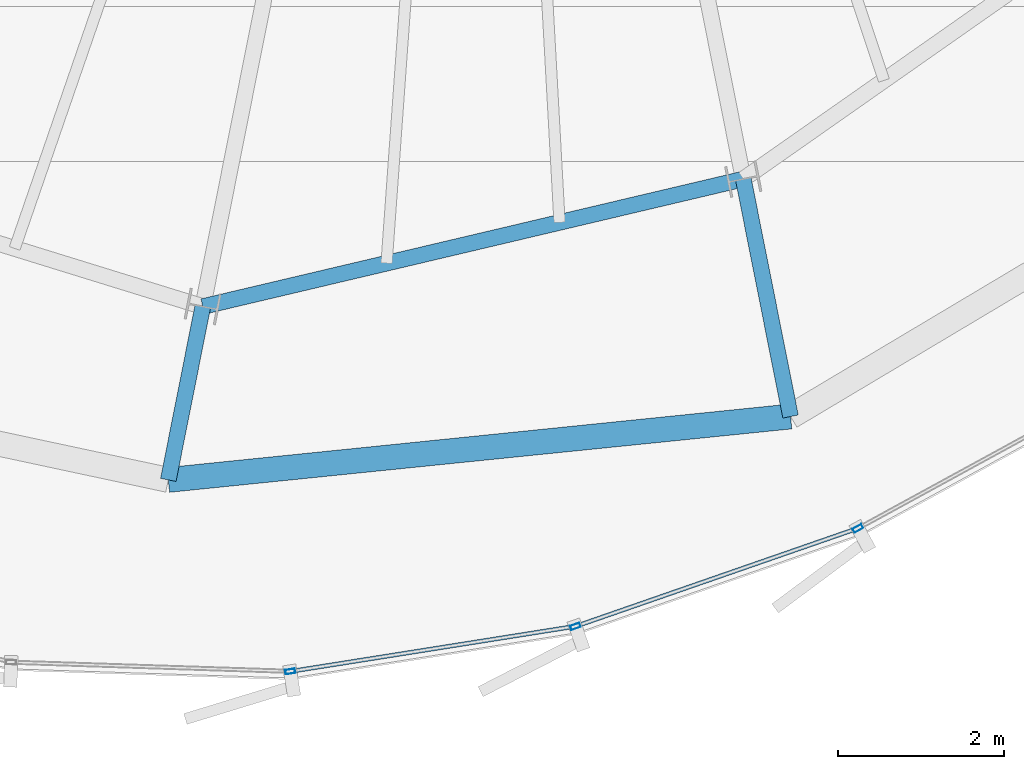
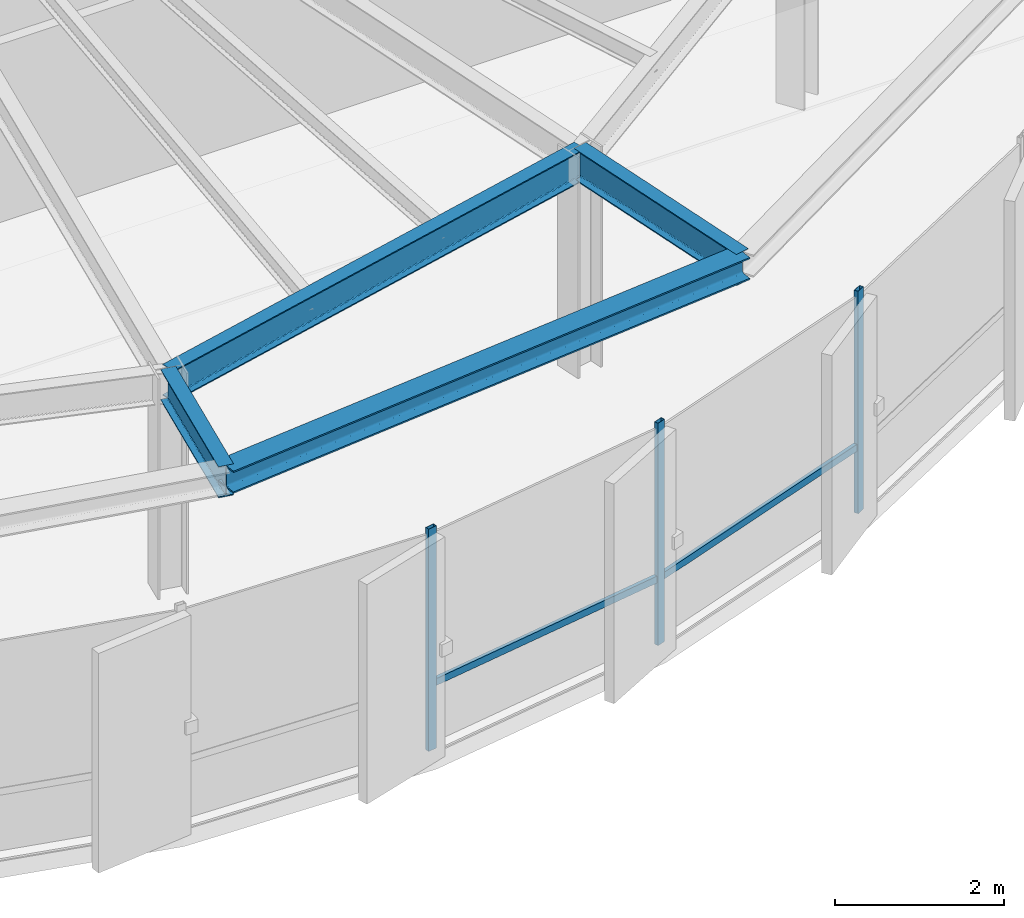
# One storey, part 6 of 31: 5 members, 4 beams, 1 element without a shape of its own.
"""IFC4 building model written with IfcOpenShell, lengths in metres."""

from ifc_helpers import new_model, si_unit, direction, frame, origin, origin_2d, place, context, subcontext, project, spatial, hollow_rectangle, i_section, extrude, source, transform, mapped, material, layer, layer_set, material_profile, profile_set, type_object, element, aggregate, save


model = new_model("IFC4")

# Units and contexts
model_context = context("Model", 3, precision=1e-05, world=origin(), true_north=direction((0.0, 1.0)))
body_context = subcontext(model_context, "Body", "Model", "MODEL_VIEW")
ifc_project = project(units=[si_unit("LENGTHUNIT", "METRE"), si_unit("AREAUNIT", "SQUARE_METRE"), si_unit("VOLUMEUNIT", "CUBIC_METRE"), si_unit("PLANEANGLEUNIT", "RADIAN"), si_unit("MASSUNIT", "GRAM", prefix="KILO"), si_unit("THERMODYNAMICTEMPERATUREUNIT", "KELVIN")], contexts=[model_context])

# Site, building, storey
site_placement = place(None, origin())
site = spatial("IfcSite", under=ifc_project, at=site_placement, CompositionType="ELEMENT")
building_placement = place(site_placement, origin())
building = spatial("IfcBuilding", under=site, at=building_placement, Name="Kethvar Cultural Tower", CompositionType="ELEMENT")
storey_placement = place(building_placement, frame((0.0, 0.0, 269.800048828125)))
storey = spatial("IfcBuildingStorey", under=building, at=storey_placement, Name="L71", CompositionType="ELEMENT", Elevation=269.800048828125)

# Beams
ifc_material_1 = material(Name="Steel S355J2", Category="steel")
ifc_material_profile_1 = material_profile(ifc_material_1, i_section(OverallWidth=0.18994140625, OverallDepth=0.449951171875, WebThickness=0.009521484375, FlangeThickness=0.0146484375, FilletRadius=0.02099609375, at=origin_2d()), Name="Steel S355J2 — IPE450")
ifc_profile_set_1 = profile_set([ifc_material_profile_1], Name="Steel S355J2 — IPE450")
beam_type_1 = type_object("IfcBeamType", Name="BM-IPE450", PredefinedType="BEAM", material=ifc_profile_set_1)
shared_shape_1 = source(origin(), body_context, "Body", "SweptSolid", [
    extrude(i_section(OverallWidth=0.18994140625, OverallDepth=0.449951171875, WebThickness=0.009521484375, FlangeThickness=0.0146484375, FilletRadius=0.02099609375, at=origin_2d()), origin(), (0.0, 0.0, 1.0), 6.6875),
])
beam_1_placement = place(storey_placement, frame((43.392822265625, 10.67138671875, 2.98291015625), z_axis=(0.973286301494, 0.22959480683, 0.0), x_axis=(-0.22959480683, 0.973286301494, 0.0)))
element("IfcBeam", 1, at=beam_1_placement, inside=storey, type_object=beam_type_1, Name="L71 Column Ring Tie Beam CR-12", PredefinedType="BEAM", context=body_context, shape_type="MappedRepresentation", body=[
    mapped(shared_shape_1, transform((0.0, 0.0, 0.0), scale=1.0)),
])
shared_shape_2 = source(origin(), body_context, "Body", "SweptSolid", [
    extrude(i_section(OverallWidth=0.18994140625, OverallDepth=0.449951171875, WebThickness=0.009521484375, FlangeThickness=0.0146484375, FilletRadius=0.02099609375, at=origin_2d()), origin(), (0.0, 0.0, 1.0), 2.128173828125),
])
beam_2_placement = place(storey_placement, frame((43.392822265625, 10.67138671875, 2.98291015625), z_axis=(-0.195012996379, -0.98080065826, 0.0), x_axis=(0.98080065826, -0.195012996379, 0.0)))
element("IfcBeam", 2, at=beam_2_placement, inside=storey, type_object=beam_type_1, Name="L71 Perimeter Cantilever Beam RC-12", PredefinedType="BEAM", context=body_context, shape_type="MappedRepresentation", body=[
    mapped(shared_shape_2, transform((0.0, 0.0, 0.0), scale=1.0)),
])
shared_shape_3 = source(origin(), body_context, "Body", "SweptSolid", [
    extrude(i_section(OverallWidth=0.18994140625, OverallDepth=0.449951171875, WebThickness=0.009521484375, FlangeThickness=0.0146484375, FilletRadius=0.02099609375, at=origin_2d()), origin(), (0.0, 0.0, 1.0), 2.915283203125),
])
beam_3_placement = place(storey_placement, frame((49.901611328125, 12.206787109375, 2.98291015625), z_axis=(0.195133604399, -0.980776670009, 0.0), x_axis=(0.980776670009, 0.195133604399, 0.0)))
element("IfcBeam", 3, at=beam_3_placement, inside=storey, type_object=beam_type_1, Name="L71 Perimeter Cantilever Beam RC-13", PredefinedType="BEAM", context=body_context, shape_type="MappedRepresentation", body=[
    mapped(shared_shape_3, transform((0.0, 0.0, 0.0), scale=1.0)),
])
ifc_material_profile_2 = material_profile(ifc_material_1, i_section(OverallWidth=0.300048828125, OverallDepth=0.320068359375, WebThickness=0.011474609375, FlangeThickness=0.0205078125, FilletRadius=0.027099609375, at=origin_2d()), Name="Steel S355J2 — HEB320")
ifc_profile_set_2 = profile_set([ifc_material_profile_2], Name="Steel S355J2 — HEB320")
beam_type_2 = type_object("IfcBeamType", Name="BM-SP320", PredefinedType="SPANDREL", material=ifc_profile_set_2)
shared_shape_4 = source(origin(), body_context, "Body", "SweptSolid", [
    extrude(i_section(OverallWidth=0.300048828125, OverallDepth=0.320068359375, WebThickness=0.011474609375, FlangeThickness=0.0205078125, FilletRadius=0.027099609375, at=origin_2d()), origin(), (0.0, 0.0, 1.0), 7.531494140625),
])
beam_4_placement = place(storey_placement, frame((42.977783203125, 8.583984375, 3.0478515625), z_axis=(0.994846027795, 0.101397144834, 0.0), x_axis=(-0.101397144834, 0.994846027795, 0.0)))
element("IfcBeam", 4, at=beam_4_placement, inside=storey, type_object=beam_type_2, Name="L71 Perimeter Spandrel Beam SP-12", PredefinedType="SPANDREL", context=body_context, shape_type="MappedRepresentation", body=[
    mapped(shared_shape_4, transform((0.0, 0.0, 0.0), scale=1.0)),
])

# Curtain wall, members
ifc_material_2 = material(Name="Aluminium 6063-T6", Category="aluminium")
ifc_layer = layer(ifc_material_2, 0.179931640625, Name="Aluminium 6063-T6", Category="aluminium")
ifc_layer_set = layer_set([ifc_layer], Name="Aluminium 6063-T6 (180 mm)")
curtain_wall_type = type_object("IfcCurtainWallType", Name="CW-SYS-05-Z56", PredefinedType="NOTDEFINED", material=ifc_layer_set)
curtain_wall_placement = place(storey_placement, origin())
curtain_wall = element("IfcCurtainWall", 5, at=curtain_wall_placement, inside=storey, type_object=curtain_wall_type, Name="L71 Curtain Wall Run 04", PredefinedType="NOTDEFINED")
ifc_material_profile_3 = material_profile(ifc_material_2, hollow_rectangle(XDim=0.054931640625, YDim=0.1201171875, WallThickness=0.00390625, at=origin_2d()), Name="Aluminium 6063-T6 — RHS120x55x4")
ifc_profile_set_3 = profile_set([ifc_material_profile_3], Name="Aluminium 6063-T6 — RHS120x55x4")
member_type_1 = type_object("IfcMemberType", Name="CW-SYS-05-Z56-MUL", PredefinedType="MULLION", material=ifc_profile_set_3)
shared_shape_5 = source(origin(), body_context, "Body", "SweptSolid", [
    extrude(hollow_rectangle(XDim=0.054931640625, YDim=0.1201171875, WallThickness=0.00390625, at=origin_2d()), origin(), (0.0, 0.0, 1.0), 3.2099609375),
])
member_1_placement = place(storey_placement, frame((44.4462890625, 6.277587890625, 0.0), z_axis=(0.0, 0.0, 1.0), x_axis=(-0.156486180066, 0.987680148352, 0.0)))
member_1 = element("IfcMember", 6, at=member_1_placement, type_object=member_type_1, Name="CW-L71-R04 Mullion 4", PredefinedType="MULLION", context=body_context, shape_type="MappedRepresentation", body=[
    mapped(shared_shape_5, transform((0.0, 0.0, 0.0), scale=1.0)),
])
member_2_placement = place(storey_placement, frame((47.880126953125, 6.820068359375, 0.0), z_axis=(0.0, 0.0, 1.0), x_axis=(-0.328124833917, 0.944634370202, 0.0)))
member_2 = element("IfcMember", 7, at=member_2_placement, type_object=member_type_1, Name="CW-L71-R04 Mullion 5", PredefinedType="MULLION", context=body_context, shape_type="MappedRepresentation", body=[
    mapped(shared_shape_5, transform((0.0, 0.0, 0.0), scale=1.0)),
])
member_3_placement = place(storey_placement, frame((51.2822265625, 8.00048828125, 0.0), z_axis=(0.0, 0.0, 1.0), x_axis=(-0.479350641899, 0.877623473997, 0.0)))
member_3 = element("IfcMember", 8, at=member_3_placement, type_object=member_type_1, Name="CW-L71-R04 Mullion 6", PredefinedType="MULLION", context=body_context, shape_type="MappedRepresentation", body=[
    mapped(shared_shape_5, transform((0.0, 0.0, 0.0), scale=1.0)),
])
ifc_material_profile_4 = material_profile(ifc_material_2, hollow_rectangle(XDim=0.050048828125, YDim=0.10009765625, WallThickness=0.00390625, at=origin_2d()), Name="Aluminium 6063-T6 — RHS100x50x4")
ifc_profile_set_4 = profile_set([ifc_material_profile_4], Name="Aluminium 6063-T6 — RHS100x50x4")
member_type_2 = type_object("IfcMemberType", Name="CW-SYS-05-Z56-TRN", PredefinedType="USERDEFINED", material=ifc_profile_set_4)
shared_shape_6 = source(origin(), body_context, "Body", "SweptSolid", [
    extrude(hollow_rectangle(XDim=0.050048828125, YDim=0.10009765625, WallThickness=0.00390625, at=origin_2d()), origin(), (0.0, 0.0, 1.0), 3.414794921875),
])
member_4_placement = place(storey_placement, frame((44.4853515625, 6.28369140625, 0.949951171875), z_axis=(0.987678187439, 0.156498556084, 0.0), x_axis=(-0.156498556084, 0.987678187439, 0.0)))
member_4 = element("IfcMember", 9, at=member_4_placement, type_object=member_type_2, Name="CW-L71-R04 Transom 4", ObjectType="TRANSOM", PredefinedType="USERDEFINED", context=body_context, shape_type="MappedRepresentation", body=[
    mapped(shared_shape_6, transform((0.0, 0.0, 0.0), scale=1.0)),
])
shared_shape_7 = source(origin(), body_context, "Body", "SweptSolid", [
    extrude(hollow_rectangle(XDim=0.050048828125, YDim=0.10009765625, WallThickness=0.00390625, at=origin_2d()), origin(), (0.0, 0.0, 1.0), 3.53857421875),
])
member_5_placement = place(storey_placement, frame((47.91748046875, 6.8330078125, 0.949951171875), z_axis=(0.944627035637, 0.328145948542, 0.0), x_axis=(-0.328145948542, 0.944627035637, 0.0)))
member_5 = element("IfcMember", 10, at=member_5_placement, type_object=member_type_2, Name="CW-L71-R04 Transom 5", ObjectType="TRANSOM", PredefinedType="USERDEFINED", context=body_context, shape_type="MappedRepresentation", body=[
    mapped(shared_shape_7, transform((0.0, 0.0, 0.0), scale=1.0)),
])
aggregate(curtain_wall, [member_1, member_2, member_3, member_4, member_5])

save(model, "model.ifc")
